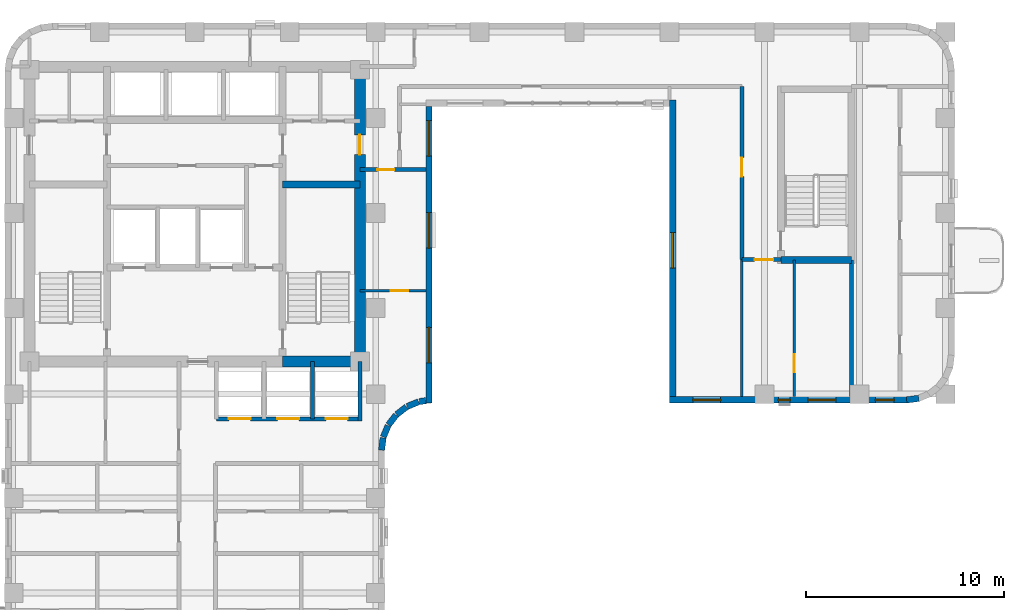
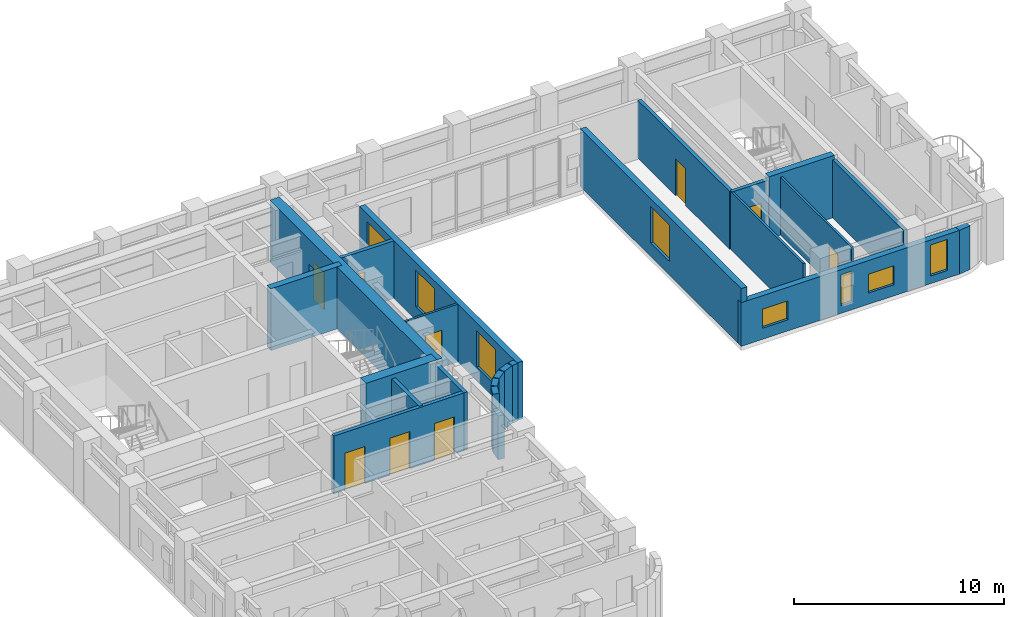
# One storey, part 6 of 11: 24 walls, 9 doors, 8 windows, 17 openings.
"""IFC4 building model written with IfcOpenShell, lengths in metres."""

from ifc_helpers import new_model, si_unit, direction, frame, frame_2d, origin, place, context, subcontext, project, spatial, rectangle, extrude, material, layer, layer_set, type_object, element, fill, save


model = new_model("IFC4")

# Units and contexts
model_context = context("Model", 3, precision=1e-05, world=origin(), true_north=direction((0.0, 1.0)))
body_context = subcontext(model_context, "Body", "Model", "MODEL_VIEW")
ifc_project = project(units=[si_unit("LENGTHUNIT", "METRE"), si_unit("AREAUNIT", "SQUARE_METRE"), si_unit("VOLUMEUNIT", "CUBIC_METRE"), si_unit("PLANEANGLEUNIT", "RADIAN"), si_unit("MASSUNIT", "GRAM", prefix="KILO")], contexts=[model_context])

# Site, building, storey
site_placement = place(None, origin())
site = spatial("IfcSite", under=ifc_project, at=site_placement, CompositionType="ELEMENT")
building_placement = place(site_placement, origin())
building = spatial("IfcBuilding", under=site, at=building_placement, Name="Orvandelia Arch Residences", CompositionType="ELEMENT")
storey_placement = place(building_placement, frame((0.0, 0.0, 164.800048828125)))
storey = spatial("IfcBuildingStorey", under=building, at=storey_placement, Name="L43", CompositionType="ELEMENT", Elevation=164.800048828125)

# Walls
ifc_material_1 = material(Name="Concrete C50/60", Category="concrete")
ifc_layer_1 = layer(ifc_material_1, 0.35009765625, Name="Concrete C50/60", Category="concrete")
ifc_layer_set_1 = layer_set([ifc_layer_1], Name="Concrete C50/60")
wall_type_1 = type_object("IfcWallType", Name="WL-CORE-350", PredefinedType="SHEAR", material=ifc_layer_set_1)
wall_1_placement = place(storey_placement, frame((18.840087890625, 39.85009765625, 0.0), z_axis=(0.0, 0.0, 1.0), x_axis=(1.0, 0.0, 0.0)))
element("IfcWall", 1, at=wall_1_placement, inside=storey, type_object=wall_type_1, Name="Core Shear Wall L43-HZ2", PredefinedType="SHEAR", context=body_context, shape_type="SweptSolid", body=[
    extrude(rectangle(XDim=3.909912109375, YDim=0.35009765625, at=frame_2d((1.955078125, 0.0))), origin(), (0.0, 0.0, 1.0), 3.599853515625),
])
wall_2_placement = place(storey_placement, frame((44.02001953125, 36.0400390625, 0.0), z_axis=(0.0, 0.0, 1.0), x_axis=(1.0, 0.0, 0.0)))
element("IfcWall", 2, at=wall_2_placement, inside=storey, type_object=wall_type_1, Name="East Stair Core Shear Wall L43-S", PredefinedType="SHEAR", context=body_context, shape_type="SweptSolid", body=[
    extrude(rectangle(XDim=3.580078125, YDim=0.35009765625, at=frame_2d((1.7900390625, 0.0))), origin(), (0.0, 0.0, 1.0), 3.599853515625),
])

# Wall, opening, door
ifc_material_2 = material(Name="Concrete C60/75", Category="concrete")
ifc_layer_2 = layer(ifc_material_2, 0.550048828125, Name="Concrete C60/75", Category="concrete")
ifc_layer_set_2 = layer_set([ifc_layer_2], Name="Concrete C60/75")
wall_type_2 = type_object("IfcWallType", Name="WL-CORE-550", PredefinedType="SHEAR", material=ifc_layer_set_2)
wall_3_placement = place(storey_placement, frame((22.75, 30.625, 0.0), z_axis=(0.0, 0.0, 1.0), x_axis=(0.0, 1.0, 0.0)))
wall_3 = element("IfcWall", 3, at=wall_3_placement, inside=storey, type_object=wall_type_2, Name="Core Shear Wall L43-E", PredefinedType="SHEAR", context=body_context, shape_type="SweptSolid", body=[
    extrude(rectangle(XDim=15.449951171875, YDim=0.550048828125, at=frame_2d((7.72509765625, 0.0))), origin(), (0.0, 0.0, 1.0), 3.599853515625),
])
opening_1_placement = place(wall_3_placement, frame((10.72509765625, 0.0, 0.0)))
opening_1 = element("IfcOpeningElement", 4, at=opening_1_placement, cuts=wall_3, Name="Opening D6", PredefinedType="OPENING", context=body_context, shape_type="SweptSolid", body=[
    extrude(rectangle(XDim=1.0, YDim=2.14990234375, at=frame_2d((0.5, 1.074951171875))), frame((0.0, 0.28515625, 0.0), z_axis=(0.0, -1.0, 0.0), x_axis=(1.0, 0.0, 0.0)), (0.0, 0.0, 1.0), 0.570068359375),
])
ifc_material_3 = material(Name="Smokeproof Painted Steel Fire Door", Category="steel")
door_type_1 = type_object("IfcDoorType", Name="DR-FD60-1000", OperationType="NOTDEFINED", PredefinedType="DOOR", material=ifc_material_3)
door_1_placement = place(opening_1_placement, origin())
door_1 = element("IfcDoor", 5, at=door_1_placement, inside=storey, type_object=door_type_1, Name="Core East Corridor Link Door L43", OperationType="SINGLE_SWING_LEFT", OverallHeight=2.14990234375, OverallWidth=1.0, PredefinedType="DOOR", context=body_context, shape_type="SweptSolid", body=[
    extrude(rectangle(XDim=1.0, YDim=2.14990234375, at=frame_2d((0.5, 1.074951171875))), frame((0.0, 0.02490234375, 0.0), z_axis=(0.0, -1.0, 0.0), x_axis=(1.0, 0.0, 0.0)), (0.0, 0.0, 1.0), 0.050048828125),
])
fill(opening_1, door_1)

# Wall
wall_4_placement = place(storey_placement, frame((18.840087890625, 30.89990234375, 0.0), z_axis=(0.0, 0.0, 1.0), x_axis=(1.0, 0.0, 0.0)))
element("IfcWall", 6, at=wall_4_placement, inside=storey, type_object=wall_type_2, Name="Core Shear Wall L43-SE", PredefinedType="SHEAR", context=body_context, shape_type="SweptSolid", body=[
    extrude(rectangle(XDim=3.909912109375, YDim=0.550048828125, at=frame_2d((1.955078125, 0.0))), origin(), (0.0, 0.0, 1.0), 3.599853515625),
])

# Wall, opening, door
ifc_material_4 = material(Name="Fire-Rated Corridor Partition")
ifc_layer_3 = layer(ifc_material_4, 0.199951171875, Name="Fire-Rated Corridor Partition")
ifc_layer_set_3 = layer_set([ifc_layer_3], Name="Fire-Rated Corridor Partition")
wall_type_3 = type_object("IfcWallType", Name="WL-CORR-200", PredefinedType="PARTITIONING", material=ifc_layer_set_3)
wall_5_placement = place(storey_placement, frame((22.75, 40.60009765625, 0.0), z_axis=(0.0, 0.0, 1.0), x_axis=(1.0, 0.0, 0.0)))
wall_5 = element("IfcWall", 7, at=wall_5_placement, inside=storey, type_object=wall_type_3, Name="Interior Partition Wall WL-L43-ENP-LS", PredefinedType="PARTITIONING", context=body_context, shape_type="SweptSolid", body=[
    extrude(rectangle(XDim=3.330078125, YDim=0.199951171875, at=frame_2d((1.6650390625, 0.0))), origin(), (0.0, 0.0, 1.0), 3.35986328125),
])
opening_2_placement = place(wall_5_placement, frame((0.8798828125, 0.0, 0.0)))
opening_2 = element("IfcOpeningElement", 8, at=opening_2_placement, cuts=wall_5, Name="Opening D4", PredefinedType="OPENING", context=body_context, shape_type="SweptSolid", body=[
    extrude(rectangle(XDim=0.860107421875, YDim=2.10009765625, at=frame_2d((0.43017578125, 1.050048828125))), frame((0.0, 0.10986328125, 0.0), z_axis=(0.0, -1.0, 0.0), x_axis=(1.0, 0.0, 0.0)), (0.0, 0.0, 1.0), 0.219970703125),
])
ifc_material_5 = material(Name="Moisture-Sealed Timber Bathroom Door", Category="wood")
door_type_2 = type_object("IfcDoorType", Name="DR-WET-900", OperationType="NOTDEFINED", PredefinedType="DOOR", material=ifc_material_5)
door_2_placement = place(opening_2_placement, origin())
door_2 = element("IfcDoor", 9, at=door_2_placement, inside=storey, type_object=door_type_2, Name="DR-L43-VPWL2", OperationType="SINGLE_SWING_RIGHT", OverallHeight=2.10009765625, OverallWidth=0.860107421875, PredefinedType="DOOR", context=body_context, shape_type="SweptSolid", body=[
    extrude(rectangle(XDim=0.860107421875, YDim=2.10009765625, at=frame_2d((0.43017578125, 1.050048828125))), frame((0.0, 0.02490234375, 0.0), z_axis=(0.0, -1.0, 0.0), x_axis=(1.0, 0.0, 0.0)), (0.0, 0.0, 1.0), 0.050048828125),
])
fill(opening_2, door_2)

wall_6_placement = place(storey_placement, frame((42.050048828125, 36.050048828125, 0.0), z_axis=(0.0, 0.0, 1.0), x_axis=(0.0, 1.0, 0.0)))
wall_6 = element("IfcWall", 10, at=wall_6_placement, inside=storey, type_object=wall_type_3, Name="Interior Partition Wall WL-L43-ENP-SW", PredefinedType="PARTITIONING", context=body_context, shape_type="SweptSolid", body=[
    extrude(rectangle(XDim=8.75, YDim=0.199951171875, at=frame_2d((4.375, 0.0))), origin(), (0.0, 0.0, 1.0), 3.35986328125),
])
opening_3_placement = place(wall_6_placement, frame((4.199951171875, 0.0, 0.0)))
opening_3 = element("IfcOpeningElement", 11, at=opening_3_placement, cuts=wall_6, Name="Opening D2", PredefinedType="OPENING", context=body_context, shape_type="SweptSolid", body=[
    extrude(rectangle(XDim=0.949951171875, YDim=2.14990234375, at=frame_2d((0.47509765625, 1.074951171875))), frame((0.0, 0.10986328125, 0.0), z_axis=(0.0, -1.0, 0.0), x_axis=(1.0, 0.0, 0.0)), (0.0, 0.0, 1.0), 0.219970703125),
])
ifc_material_6 = material(Name="Solid-Core Timber Interior Fire Door", Category="wood")
door_type_3 = type_object("IfcDoorType", Name="DR-APT-950", OperationType="NOTDEFINED", PredefinedType="DOOR", material=ifc_material_6)
door_3_placement = place(opening_3_placement, origin())
door_3 = element("IfcDoor", 12, at=door_3_placement, inside=storey, type_object=door_type_3, Name="DR-L43-VPE1", OperationType="SINGLE_SWING_LEFT", OverallHeight=2.14990234375, OverallWidth=0.949951171875, PredefinedType="DOOR", context=body_context, shape_type="SweptSolid", body=[
    extrude(rectangle(XDim=0.949951171875, YDim=2.14990234375, at=frame_2d((0.47509765625, 1.074951171875))), frame((0.0, 0.02490234375, 0.0), z_axis=(0.0, -1.0, 0.0), x_axis=(1.0, 0.0, 0.0)), (0.0, 0.0, 1.0), 0.050048828125),
])
fill(opening_3, door_3)

wall_7_placement = place(storey_placement, frame((42.050048828125, 36.050048828125, 0.0), z_axis=(0.0, 0.0, 1.0), x_axis=(1.0, 0.0, 0.0)))
wall_7 = element("IfcWall", 13, at=wall_7_placement, inside=storey, type_object=wall_type_3, Name="Interior Partition Wall WL-L43-ENP-SS", PredefinedType="PARTITIONING", context=body_context, shape_type="SweptSolid", body=[
    extrude(rectangle(XDim=1.969970703125, YDim=0.199951171875, at=frame_2d((0.98486328125, 0.0))), origin(), (0.0, 0.0, 1.0), 3.35986328125),
])
opening_4_placement = place(wall_7_placement, frame((0.64990234375, 0.0, 0.0)))
opening_4 = element("IfcOpeningElement", 14, at=opening_4_placement, cuts=wall_7, Name="Opening D2", PredefinedType="OPENING", context=body_context, shape_type="SweptSolid", body=[
    extrude(rectangle(XDim=0.949951171875, YDim=2.14990234375, at=frame_2d((0.47509765625, 1.074951171875))), frame((0.0, 0.10986328125, 0.0), z_axis=(0.0, -1.0, 0.0), x_axis=(1.0, 0.0, 0.0)), (0.0, 0.0, 1.0), 0.219970703125),
])
door_4_placement = place(opening_4_placement, origin())
door_4 = element("IfcDoor", 15, at=door_4_placement, inside=storey, type_object=door_type_3, Name="DR-L43-VPS3A", OperationType="SINGLE_SWING_LEFT", OverallHeight=2.14990234375, OverallWidth=0.949951171875, PredefinedType="DOOR", context=body_context, shape_type="SweptSolid", body=[
    extrude(rectangle(XDim=0.949951171875, YDim=2.14990234375, at=frame_2d((0.47509765625, 1.074951171875))), frame((0.0, 0.02490234375, 0.0), z_axis=(0.0, -1.0, 0.0), x_axis=(1.0, 0.0, 0.0)), (0.0, 0.0, 1.0), 0.050048828125),
])
fill(opening_4, door_4)

# Walls
ifc_material_7 = material(Name="Concrete C40/50", Category="concrete")
ifc_layer_4 = layer(ifc_material_7, 0.199951171875, Name="Concrete C40/50", Category="concrete")
ifc_layer_set_4 = layer_set([ifc_layer_4], Name="Concrete C40/50")
wall_type_4 = type_object("IfcWallType", Name="WL-DEM-200", PredefinedType="SOLIDWALL", material=ifc_layer_set_4)
wall_8_placement = place(storey_placement, frame((47.60009765625, 29.1201171875, 0.0), z_axis=(0.0, 0.0, 1.0), x_axis=(0.0, 1.0, 0.0)))
element("IfcWall", 16, at=wall_8_placement, inside=storey, type_object=wall_type_4, Name="Interior Partition Wall WL-L43-VPS3-E", PredefinedType="SOLIDWALL", context=body_context, shape_type="SweptSolid", body=[
    extrude(rectangle(XDim=6.919921875, YDim=0.199951171875, at=frame_2d((3.4599609375, 0.0))), origin(), (0.0, 0.0, 1.0), 3.35986328125),
])
ifc_material_8 = material(Name="Precast concrete C40/50", Category="concrete")
ifc_layer_5 = layer(ifc_material_8, 0.320068359375, Name="Precast concrete C40/50", Category="concrete")
ifc_layer_set_5 = layer_set([ifc_layer_5], Name="Precast concrete C40/50")
wall_type_5 = type_object("IfcWallType", Name="WL-EXT-STONE-320", PredefinedType="STANDARD", material=ifc_layer_set_5)
wall_9_placement = place(storey_placement, frame((51.000244140625, 29.040283203125, 0.0), z_axis=(0.0, 0.0, 1.0), x_axis=(-0.9914410257, -0.130555323746, 0.0)))
element("IfcWall", 17, at=wall_9_placement, inside=storey, type_object=wall_type_5, Name="Coral-Limestone Precast Facade Wall L43-020", PredefinedType="STANDARD", context=body_context, shape_type="SweptSolid", body=[
    extrude(rectangle(XDim=0.62646484375, YDim=0.320068359375, at=frame_2d((0.313232421875, 0.0))), origin(), (0.0, 0.0, 1.0), 2.5400390625),
])

# Wall, openings, windows
wall_10_placement = place(storey_placement, frame((50.39990234375, 28.9599609375, 0.0), z_axis=(0.0, 0.0, 1.0), x_axis=(-1.0, 0.0, 0.0)))
wall_10 = element("IfcWall", 18, at=wall_10_placement, inside=storey, type_object=wall_type_5, Name="Coral-Limestone Precast Facade Wall L43-021", PredefinedType="STANDARD", context=body_context, shape_type="SweptSolid", body=[
    extrude(rectangle(XDim=12.0, YDim=0.320068359375, at=frame_2d((6.0, 0.0))), origin(), (0.0, 0.0, 1.0), 2.5400390625),
])
opening_5_placement = place(wall_10_placement, frame((0.656005859375, 0.0, 0.449951171875)))
opening_5 = element("IfcOpeningElement", 19, at=opening_5_placement, cuts=wall_10, Name="Opening W4", PredefinedType="OPENING", context=body_context, shape_type="SweptSolid", body=[
    extrude(rectangle(XDim=0.949951171875, YDim=1.800048828125, at=frame_2d((0.47509765625, 0.89990234375))), frame((0.0, 0.169921875, 0.0), z_axis=(0.0, -1.0, 0.0), x_axis=(1.0, 0.0, 0.0)), (0.0, 0.0, 1.0), 0.340087890625),
])
opening_6_placement = place(wall_10_placement, frame((9.425048828125, 0.0, 0.64990234375)))
opening_6 = element("IfcOpeningElement", 20, at=opening_6_placement, cuts=wall_10, Name="Opening W10", PredefinedType="OPENING", context=body_context, shape_type="SweptSolid", body=[
    extrude(rectangle(XDim=1.39990234375, YDim=1.10009765625, at=frame_2d((0.699951171875, 0.550048828125))), frame((0.0, 0.169921875, 0.0), z_axis=(0.0, -1.0, 0.0), x_axis=(1.0, 0.0, 0.0)), (0.0, 0.0, 1.0), 0.340087890625),
])
opening_7_placement = place(wall_10_placement, frame((5.902587890625, 0.0, 0.449951171875)))
opening_7 = element("IfcOpeningElement", 21, at=opening_7_placement, cuts=wall_10, Name="Opening W12", PredefinedType="OPENING", context=body_context, shape_type="SweptSolid", body=[
    extrude(rectangle(XDim=0.60009765625, YDim=1.800048828125, at=frame_2d((0.300048828125, 0.89990234375))), frame((0.0, 0.169921875, 0.0), z_axis=(0.0, -1.0, 0.0), x_axis=(1.0, 0.0, 0.0)), (0.0, 0.0, 1.0), 0.340087890625),
])
opening_8_placement = place(wall_10_placement, frame((3.597412109375, 0.0, 0.64990234375)))
opening_8 = element("IfcOpeningElement", 22, at=opening_8_placement, cuts=wall_10, Name="Opening W10", PredefinedType="OPENING", context=body_context, shape_type="SweptSolid", body=[
    extrude(rectangle(XDim=1.39990234375, YDim=1.10009765625, at=frame_2d((0.699951171875, 0.550048828125))), frame((0.0, 0.169921875, 0.0), z_axis=(0.0, -1.0, 0.0), x_axis=(1.0, 0.0, 0.0)), (0.0, 0.0, 1.0), 0.340087890625),
])
ifc_material_9 = material(Name="Tempered Low-E Insulated Glazing", Category="glass")
window_type_1 = type_object("IfcWindowType", Name="WIN-CLR-1400x1100", PartitioningType="SINGLE_PANEL", PredefinedType="WINDOW", material=ifc_material_9)
window_1_placement = place(opening_6_placement, origin())
window_1 = element("IfcWindow", 23, at=window_1_placement, inside=storey, type_object=window_type_1, Name="Recessed Punched Window L43-008", OverallHeight=1.10009765625, OverallWidth=1.39990234375, PartitioningType="SINGLE_PANEL", PredefinedType="WINDOW", context=body_context, shape_type="SweptSolid", body=[
    extrude(rectangle(XDim=1.39990234375, YDim=1.10009765625, at=frame_2d((0.699951171875, 0.550048828125))), frame((0.0, 0.030029296875, 0.0), z_axis=(0.0, -1.0, 0.0), x_axis=(1.0, 0.0, 0.0)), (0.0, 0.0, 1.0), 0.06005859375),
])
fill(opening_6, window_1)
window_2_placement = place(opening_8_placement, origin())
window_2 = element("IfcWindow", 24, at=window_2_placement, inside=storey, type_object=window_type_1, Name="Recessed Punched Window L43-010", OverallHeight=1.10009765625, OverallWidth=1.39990234375, PartitioningType="SINGLE_PANEL", PredefinedType="WINDOW", context=body_context, shape_type="SweptSolid", body=[
    extrude(rectangle(XDim=1.39990234375, YDim=1.10009765625, at=frame_2d((0.699951171875, 0.550048828125))), frame((0.0, 0.030029296875, 0.0), z_axis=(0.0, -1.0, 0.0), x_axis=(1.0, 0.0, 0.0)), (0.0, 0.0, 1.0), 0.06005859375),
])
fill(opening_8, window_2)
window_type_2 = type_object("IfcWindowType", Name="WIN-LAN-0600x1800", PartitioningType="SINGLE_PANEL", PredefinedType="WINDOW", material=ifc_material_9)
window_3_placement = place(opening_7_placement, origin())
window_3 = element("IfcWindow", 25, at=window_3_placement, inside=storey, type_object=window_type_2, Name="Recessed Punched Window L43-009", OverallHeight=1.800048828125, OverallWidth=0.60009765625, PartitioningType="SINGLE_PANEL", PredefinedType="WINDOW", context=body_context, shape_type="SweptSolid", body=[
    extrude(rectangle(XDim=0.60009765625, YDim=1.800048828125, at=frame_2d((0.300048828125, 0.89990234375))), frame((0.0, 0.030029296875, 0.0), z_axis=(0.0, -1.0, 0.0), x_axis=(1.0, 0.0, 0.0)), (0.0, 0.0, 1.0), 0.06005859375),
])
fill(opening_7, window_3)
window_type_3 = type_object("IfcWindowType", Name="WIN-RES-0950x1800", PartitioningType="SINGLE_PANEL", PredefinedType="WINDOW", material=ifc_material_9)
window_4_placement = place(opening_5_placement, origin())
window_4 = element("IfcWindow", 26, at=window_4_placement, inside=storey, type_object=window_type_3, Name="Recessed Punched Window L43-007", OverallHeight=1.800048828125, OverallWidth=0.949951171875, PartitioningType="SINGLE_PANEL", PredefinedType="WINDOW", context=body_context, shape_type="SweptSolid", body=[
    extrude(rectangle(XDim=0.949951171875, YDim=1.800048828125, at=frame_2d((0.47509765625, 0.89990234375))), frame((0.0, 0.030029296875, 0.0), z_axis=(0.0, -1.0, 0.0), x_axis=(1.0, 0.0, 0.0)), (0.0, 0.0, 1.0), 0.06005859375),
])
fill(opening_5, window_4)

# Wall, opening, window
wall_11_placement = place(storey_placement, frame((38.56005859375, 28.800048828125, 0.0), z_axis=(0.0, 0.0, 1.0), x_axis=(0.0, 1.0, 0.0)))
wall_11 = element("IfcWall", 27, at=wall_11_placement, inside=storey, type_object=wall_type_5, Name="Coral-Limestone Precast Facade Wall L43-022", PredefinedType="STANDARD", context=body_context, shape_type="SweptSolid", body=[
    extrude(rectangle(XDim=15.320068359375, YDim=0.320068359375, at=frame_2d((7.66015625, 0.0))), origin(), (0.0, 0.0, 1.0), 3.35986328125),
])
opening_9_placement = place(wall_11_placement, frame((6.820068359375, 0.0, 0.800048828125)))
opening_9 = element("IfcOpeningElement", 28, at=opening_9_placement, cuts=wall_11, Name="Opening W1", PredefinedType="OPENING", context=body_context, shape_type="SweptSolid", body=[
    extrude(rectangle(XDim=1.800048828125, YDim=2.10009765625, at=frame_2d((0.89990234375, 1.050048828125))), frame((0.0, 0.169921875, 0.0), z_axis=(0.0, -1.0, 0.0), x_axis=(1.0, 0.0, 0.0)), (0.0, 0.0, 1.0), 0.340087890625),
])
window_type_4 = type_object("IfcWindowType", Name="WIN-RES-1800x2100", PartitioningType="SINGLE_PANEL", PredefinedType="WINDOW", material=ifc_material_9)
window_5_placement = place(opening_9_placement, origin())
window_5 = element("IfcWindow", 29, at=window_5_placement, inside=storey, type_object=window_type_4, Name="Recessed Punched Window L43-011", OverallHeight=2.10009765625, OverallWidth=1.800048828125, PartitioningType="SINGLE_PANEL", PredefinedType="WINDOW", context=body_context, shape_type="SweptSolid", body=[
    extrude(rectangle(XDim=1.800048828125, YDim=2.10009765625, at=frame_2d((0.89990234375, 1.050048828125))), frame((0.0, 0.030029296875, 0.0), z_axis=(0.0, -1.0, 0.0), x_axis=(1.0, 0.0, 0.0)), (0.0, 0.0, 1.0), 0.06005859375),
])
fill(opening_9, window_5)

# Wall, openings, windows
wall_12_placement = place(storey_placement, frame((26.239990234375, 43.800048828125, 0.0), z_axis=(0.0, 0.0, 1.0), x_axis=(0.0, -1.0, 0.0)))
wall_12 = element("IfcWall", 30, at=wall_12_placement, inside=storey, type_object=wall_type_5, Name="Coral-Limestone Precast Facade Wall L43-025", PredefinedType="STANDARD", context=body_context, shape_type="SweptSolid", body=[
    extrude(rectangle(XDim=15.0, YDim=0.320068359375, at=frame_2d((7.5, 0.0))), origin(), (0.0, 0.0, 1.0), 3.35986328125),
])
opening_10_placement = place(wall_12_placement, frame((11.169921875, 0.0, 0.800048828125)))
opening_10 = element("IfcOpeningElement", 31, at=opening_10_placement, cuts=wall_12, Name="Opening W1", PredefinedType="OPENING", context=body_context, shape_type="SweptSolid", body=[
    extrude(rectangle(XDim=1.800048828125, YDim=2.10009765625, at=frame_2d((0.89990234375, 1.050048828125))), frame((0.0, 0.169921875, 0.0), z_axis=(0.0, -1.0, 0.0), x_axis=(1.0, 0.0, 0.0)), (0.0, 0.0, 1.0), 0.340087890625),
])
opening_11_placement = place(wall_12_placement, frame((5.3701171875, 0.0, 0.800048828125)))
opening_11 = element("IfcOpeningElement", 32, at=opening_11_placement, cuts=wall_12, Name="Opening W1", PredefinedType="OPENING", context=body_context, shape_type="SweptSolid", body=[
    extrude(rectangle(XDim=1.800048828125, YDim=2.10009765625, at=frame_2d((0.89990234375, 1.050048828125))), frame((0.0, 0.169921875, 0.0), z_axis=(0.0, -1.0, 0.0), x_axis=(1.0, 0.0, 0.0)), (0.0, 0.0, 1.0), 0.340087890625),
])
opening_12_placement = place(wall_12_placement, frame((0.719970703125, 0.0, 0.800048828125)))
opening_12 = element("IfcOpeningElement", 33, at=opening_12_placement, cuts=wall_12, Name="Opening W1", PredefinedType="OPENING", context=body_context, shape_type="SweptSolid", body=[
    extrude(rectangle(XDim=1.800048828125, YDim=2.10009765625, at=frame_2d((0.89990234375, 1.050048828125))), frame((0.0, 0.169921875, 0.0), z_axis=(0.0, -1.0, 0.0), x_axis=(1.0, 0.0, 0.0)), (0.0, 0.0, 1.0), 0.340087890625),
])
window_6_placement = place(opening_10_placement, origin())
window_6 = element("IfcWindow", 34, at=window_6_placement, inside=storey, type_object=window_type_4, Name="Recessed Punched Window L43-014", OverallHeight=2.10009765625, OverallWidth=1.800048828125, PartitioningType="SINGLE_PANEL", PredefinedType="WINDOW", context=body_context, shape_type="SweptSolid", body=[
    extrude(rectangle(XDim=1.800048828125, YDim=2.10009765625, at=frame_2d((0.89990234375, 1.050048828125))), frame((0.0, 0.030029296875, 0.0), z_axis=(0.0, -1.0, 0.0), x_axis=(1.0, 0.0, 0.0)), (0.0, 0.0, 1.0), 0.06005859375),
])
fill(opening_10, window_6)
window_7_placement = place(opening_11_placement, origin())
window_7 = element("IfcWindow", 35, at=window_7_placement, inside=storey, type_object=window_type_4, Name="Recessed Punched Window L43-015", OverallHeight=2.10009765625, OverallWidth=1.800048828125, PartitioningType="SINGLE_PANEL", PredefinedType="WINDOW", context=body_context, shape_type="SweptSolid", body=[
    extrude(rectangle(XDim=1.800048828125, YDim=2.10009765625, at=frame_2d((0.89990234375, 1.050048828125))), frame((0.0, 0.030029296875, 0.0), z_axis=(0.0, -1.0, 0.0), x_axis=(1.0, 0.0, 0.0)), (0.0, 0.0, 1.0), 0.06005859375),
])
fill(opening_11, window_7)
window_8_placement = place(opening_12_placement, origin())
window_8 = element("IfcWindow", 36, at=window_8_placement, inside=storey, type_object=window_type_4, Name="Recessed Punched Window L43-016", OverallHeight=2.10009765625, OverallWidth=1.800048828125, PartitioningType="SINGLE_PANEL", PredefinedType="WINDOW", context=body_context, shape_type="SweptSolid", body=[
    extrude(rectangle(XDim=1.800048828125, YDim=2.10009765625, at=frame_2d((0.89990234375, 1.050048828125))), frame((0.0, 0.030029296875, 0.0), z_axis=(0.0, -1.0, 0.0), x_axis=(1.0, 0.0, 0.0)), (0.0, 0.0, 1.0), 0.06005859375),
])
fill(opening_12, window_8)

# Walls
wall_13_placement = place(storey_placement, frame((26.081787109375, 28.91943359375, 0.0), z_axis=(0.0, 0.0, 1.0), x_axis=(-0.991512688813, -0.130009953168, 0.0)))
element("IfcWall", 37, at=wall_13_placement, inside=storey, type_object=wall_type_5, Name="Coral-Limestone Precast Facade Wall L43-026", PredefinedType="STANDARD", context=body_context, shape_type="SweptSolid", body=[
    extrude(rectangle(XDim=0.32666015625, YDim=0.320068359375, at=frame_2d((0.163330078125, 0.0))), origin(), (0.0, 0.0, 1.0), 3.35986328125),
])
wall_14_placement = place(storey_placement, frame((25.717529296875, 28.865966796875, 0.0), z_axis=(0.0, 0.0, 1.0), x_axis=(-0.923836271867, -0.382787856107, 0.0)))
element("IfcWall", 38, at=wall_14_placement, inside=storey, type_object=wall_type_5, Name="Coral-Limestone Precast Facade Wall L43-027", PredefinedType="STANDARD", context=body_context, shape_type="SweptSolid", body=[
    extrude(rectangle(XDim=0.626220703125, YDim=0.320068359375, at=frame_2d((0.31298828125, 0.0))), origin(), (0.0, 0.0, 1.0), 3.35986328125),
])
for number, where, z_axis, x_axis, name in (
    (39, (25.1025390625, 28.60546875, 0.0), (0.0, 0.0, 1.0), (-0.793405610854, -0.608693302629, 0.0), "Coral-Limestone Precast Facade Wall L43-028"),
    (40, (24.575927734375, 28.194580078125, 0.0), (0.0, 0.0, 1.0), (-0.608693302629, -0.793405610854, 0.0), "Coral-Limestone Precast Facade Wall L43-029"),
):
    element("IfcWall", number, at=place(storey_placement, frame(where, z_axis=z_axis, x_axis=x_axis)), inside=storey, type_object=wall_type_5, Name=name, PredefinedType="STANDARD", context=body_context, shape_type="SweptSolid", body=[
        extrude(rectangle(XDim=0.62646484375, YDim=0.320068359375, at=frame_2d((0.313232421875, 0.0))), origin(), (0.0, 0.0, 1.0), 3.35986328125),
    ])
wall_15_placement = place(storey_placement, frame((24.173583984375, 27.6611328125, 0.0), z_axis=(0.0, 0.0, 1.0), x_axis=(-0.382455093999, -0.923974080304, 0.0)))
element("IfcWall", 41, at=wall_15_placement, inside=storey, type_object=wall_type_5, Name="Coral-Limestone Precast Facade Wall L43-030", PredefinedType="STANDARD", context=body_context, shape_type="SweptSolid", body=[
    extrude(rectangle(XDim=0.626220703125, YDim=0.320068359375, at=frame_2d((0.31298828125, 0.0))), origin(), (0.0, 0.0, 1.0), 3.35986328125),
])
wall_16_placement = place(storey_placement, frame((23.923095703125, 27.0419921875, 0.0), z_axis=(0.0, 0.0, 1.0), x_axis=(-0.130555323746, -0.9914410257, 0.0)))
element("IfcWall", 42, at=wall_16_placement, inside=storey, type_object=wall_type_5, Name="Coral-Limestone Precast Facade Wall L43-031", PredefinedType="STANDARD", context=body_context, shape_type="SweptSolid", body=[
    extrude(rectangle(XDim=0.62646484375, YDim=0.320068359375, at=frame_2d((0.313232421875, 0.0))), origin(), (0.0, 0.0, 1.0), 2.5400390625),
])

# Wall, opening, door
ifc_material_10 = material(Name="Lightweight Gypsum Stud Partition")
ifc_layer_6 = layer(ifc_material_10, 0.1201171875, Name="Lightweight Gypsum Stud Partition")
ifc_layer_set_6 = layer_set([ifc_layer_6], Name="Lightweight Gypsum Stud Partition")
wall_type_6 = type_object("IfcWallType", Name="WL-PART-120", PredefinedType="PARTITIONING", material=ifc_layer_set_6)
wall_17_placement = place(storey_placement, frame((22.75, 34.47998046875, 0.0), z_axis=(0.0, 0.0, 1.0), x_axis=(1.0, 0.0, 0.0)))
wall_17 = element("IfcWall", 43, at=wall_17_placement, inside=storey, type_object=wall_type_6, Name="Interior Partition Wall WL-L43-VPW-M", PredefinedType="PARTITIONING", context=body_context, shape_type="SweptSolid", body=[
    extrude(rectangle(XDim=3.330078125, YDim=0.1201171875, at=frame_2d((1.6650390625, 0.0))), origin(), (0.0, 0.0, 1.0), 3.35986328125),
])
opening_13_placement = place(wall_17_placement, frame((1.550048828125, 0.0, 0.0)))
opening_13 = element("IfcOpeningElement", 44, at=opening_13_placement, cuts=wall_17, Name="Opening D3", PredefinedType="OPENING", context=body_context, shape_type="SweptSolid", body=[
    extrude(rectangle(XDim=0.89990234375, YDim=2.14990234375, at=frame_2d((0.449951171875, 1.074951171875))), frame((0.0, 0.070068359375, 0.0), z_axis=(0.0, -1.0, 0.0), x_axis=(1.0, 0.0, 0.0)), (0.0, 0.0, 1.0), 0.14013671875),
])
ifc_material_11 = material(Name="Engineered Timber Flush Door", Category="wood")
door_type_4 = type_object("IfcDoorType", Name="DR-INT-900", OperationType="NOTDEFINED", PredefinedType="DOOR", material=ifc_material_11)
door_5_placement = place(opening_13_placement, origin())
door_5 = element("IfcDoor", 45, at=door_5_placement, inside=storey, type_object=door_type_4, Name="DR-L43-VPWL1", OperationType="SINGLE_SWING_LEFT", OverallHeight=2.14990234375, OverallWidth=0.89990234375, PredefinedType="DOOR", context=body_context, shape_type="SweptSolid", body=[
    extrude(rectangle(XDim=0.89990234375, YDim=2.14990234375, at=frame_2d((0.449951171875, 1.074951171875))), frame((0.0, 0.02490234375, 0.0), z_axis=(0.0, -1.0, 0.0), x_axis=(1.0, 0.0, 0.0)), (0.0, 0.0, 1.0), 0.050048828125),
])
fill(opening_13, door_5)

wall_18_placement = place(storey_placement, frame((44.699951171875, 29.1201171875, 0.0), z_axis=(0.0, 0.0, 1.0), x_axis=(0.0, 1.0, 0.0)))
wall_18 = element("IfcWall", 46, at=wall_18_placement, inside=storey, type_object=wall_type_6, Name="Interior Partition Wall WL-L43-VPS3-M", PredefinedType="PARTITIONING", context=body_context, shape_type="SweptSolid", body=[
    extrude(rectangle(XDim=6.919921875, YDim=0.1201171875, at=frame_2d((3.4599609375, 0.0))), origin(), (0.0, 0.0, 1.0), 3.35986328125),
])
opening_14_placement = place(wall_18_placement, frame((1.239990234375, 0.0, 0.0)))
opening_14 = element("IfcOpeningElement", 47, at=opening_14_placement, cuts=wall_18, Name="Opening D3", PredefinedType="OPENING", context=body_context, shape_type="SweptSolid", body=[
    extrude(rectangle(XDim=0.89990234375, YDim=2.14990234375, at=frame_2d((0.449951171875, 1.074951171875))), frame((0.0, 0.070068359375, 0.0), z_axis=(0.0, -1.0, 0.0), x_axis=(1.0, 0.0, 0.0)), (0.0, 0.0, 1.0), 0.14013671875),
])
door_6_placement = place(opening_14_placement, origin())
door_6 = element("IfcDoor", 48, at=door_6_placement, inside=storey, type_object=door_type_4, Name="DR-L43-VPS3B", OperationType="SINGLE_SWING_RIGHT", OverallHeight=2.14990234375, OverallWidth=0.89990234375, PredefinedType="DOOR", context=body_context, shape_type="SweptSolid", body=[
    extrude(rectangle(XDim=0.89990234375, YDim=2.14990234375, at=frame_2d((0.449951171875, 1.074951171875))), frame((0.0, 0.02490234375, 0.0), z_axis=(0.0, -1.0, 0.0), x_axis=(1.0, 0.0, 0.0)), (0.0, 0.0, 1.0), 0.050048828125),
])
fill(opening_14, door_6)

# Wall
wall_19_placement = place(storey_placement, frame((42.050048828125, 29.1201171875, 0.0), z_axis=(0.0, 0.0, 1.0), x_axis=(0.0, 1.0, 0.0)))
element("IfcWall", 49, at=wall_19_placement, inside=storey, type_object=wall_type_6, Name="Interior Partition Wall WL-L43-VPS3-W", PredefinedType="PARTITIONING", context=body_context, shape_type="SweptSolid", body=[
    extrude(rectangle(XDim=6.929931640625, YDim=0.1201171875, at=frame_2d((3.46484375, 0.0))), origin(), (0.0, 0.0, 1.0), 3.35986328125),
])

# Wall, openings, doors
ifc_material_12 = material(Name="Fire-Rated Shaft Enclosure Wall")
ifc_layer_7 = layer(ifc_material_12, 0.199951171875, Name="Fire-Rated Shaft Enclosure Wall")
ifc_layer_set_7 = layer_set([ifc_layer_7], Name="Fire-Rated Shaft Enclosure Wall")
wall_type_7 = type_object("IfcWallType", Name="WL-SHAFT-200", PredefinedType="POLYGONAL", material=ifc_layer_set_7)
wall_20_placement = place(storey_placement, frame((15.5, 28.0, 0.0), z_axis=(0.0, 0.0, 1.0), x_axis=(1.0, 0.0, 0.0)))
wall_20 = element("IfcWall", 50, at=wall_20_placement, inside=storey, type_object=wall_type_7, Name="Interior Partition Wall WL-L43-BNKM-S", PredefinedType="POLYGONAL", context=body_context, shape_type="SweptSolid", body=[
    extrude(rectangle(XDim=7.25, YDim=0.199951171875, at=frame_2d((3.625, 0.0))), origin(), (0.0, 0.0, 1.0), 3.35986328125),
])
opening_15_placement = place(wall_20_placement, frame((0.625, 0.0, 0.0)))
opening_15 = element("IfcOpeningElement", 51, at=opening_15_placement, cuts=wall_20, Name="Opening LD", PredefinedType="OPENING", context=body_context, shape_type="SweptSolid", body=[
    extrude(rectangle(XDim=1.10009765625, YDim=2.14990234375, at=frame_2d((0.550048828125, 1.074951171875))), frame((0.0, 0.10986328125, 0.0), z_axis=(0.0, -1.0, 0.0), x_axis=(1.0, 0.0, 0.0)), (0.0, 0.0, 1.0), 0.219970703125),
])
opening_16_placement = place(wall_20_placement, frame((3.074951171875, 0.0, 0.0)))
opening_16 = element("IfcOpeningElement", 52, at=opening_16_placement, cuts=wall_20, Name="Opening LD", PredefinedType="OPENING", context=body_context, shape_type="SweptSolid", body=[
    extrude(rectangle(XDim=1.10009765625, YDim=2.14990234375, at=frame_2d((0.550048828125, 1.074951171875))), frame((0.0, 0.10986328125, 0.0), z_axis=(0.0, -1.0, 0.0), x_axis=(1.0, 0.0, 0.0)), (0.0, 0.0, 1.0), 0.219970703125),
])
opening_17_placement = place(wall_20_placement, frame((5.52490234375, 0.0, 0.0)))
opening_17 = element("IfcOpeningElement", 53, at=opening_17_placement, cuts=wall_20, Name="Opening LD", PredefinedType="OPENING", context=body_context, shape_type="SweptSolid", body=[
    extrude(rectangle(XDim=1.10009765625, YDim=2.14990234375, at=frame_2d((0.550048828125, 1.074951171875))), frame((0.0, 0.10986328125, 0.0), z_axis=(0.0, -1.0, 0.0), x_axis=(1.0, 0.0, 0.0)), (0.0, 0.0, 1.0), 0.219970703125),
])
ifc_material_13 = material(Name="Brushed Stainless Steel Sliding Lift Door", Category="steel")
door_type_5 = type_object("IfcDoorType", Name="DR-LIFT-1100", OperationType="NOTDEFINED", PredefinedType="DOOR", material=ifc_material_13)
door_7_placement = place(opening_15_placement, origin())
door_7 = element("IfcDoor", 54, at=door_7_placement, inside=storey, type_object=door_type_5, Name="Lift Landing Door LD-PM1", OperationType="SLIDING_TO_LEFT", OverallHeight=2.14990234375, OverallWidth=1.10009765625, PredefinedType="DOOR", context=body_context, shape_type="SweptSolid", body=[
    extrude(rectangle(XDim=1.10009765625, YDim=2.14990234375, at=frame_2d((0.550048828125, 1.074951171875))), frame((0.0, 0.02490234375, 0.0), z_axis=(0.0, -1.0, 0.0), x_axis=(1.0, 0.0, 0.0)), (0.0, 0.0, 1.0), 0.050048828125),
])
fill(opening_15, door_7)
door_8_placement = place(opening_16_placement, origin())
door_8 = element("IfcDoor", 55, at=door_8_placement, inside=storey, type_object=door_type_5, Name="Lift Landing Door LD-PM2", OperationType="SLIDING_TO_RIGHT", OverallHeight=2.14990234375, OverallWidth=1.10009765625, PredefinedType="DOOR", context=body_context, shape_type="SweptSolid", body=[
    extrude(rectangle(XDim=1.10009765625, YDim=2.14990234375, at=frame_2d((0.550048828125, 1.074951171875))), frame((0.0, 0.02490234375, 0.0), z_axis=(0.0, -1.0, 0.0), x_axis=(1.0, 0.0, 0.0)), (0.0, 0.0, 1.0), 0.050048828125),
])
fill(opening_16, door_8)
door_9_placement = place(opening_17_placement, origin())
door_9 = element("IfcDoor", 56, at=door_9_placement, inside=storey, type_object=door_type_5, Name="Lift Landing Door LD-PM3", OperationType="SLIDING_TO_LEFT", OverallHeight=2.14990234375, OverallWidth=1.10009765625, PredefinedType="DOOR", context=body_context, shape_type="SweptSolid", body=[
    extrude(rectangle(XDim=1.10009765625, YDim=2.14990234375, at=frame_2d((0.550048828125, 1.074951171875))), frame((0.0, 0.02490234375, 0.0), z_axis=(0.0, -1.0, 0.0), x_axis=(1.0, 0.0, 0.0)), (0.0, 0.0, 1.0), 0.050048828125),
])
fill(opening_17, door_9)

# Walls
wall_21_placement = place(storey_placement, frame((22.75, 27.89990234375, 0.0), z_axis=(0.0, 0.0, 1.0), x_axis=(0.0, 1.0, 0.0)))
element("IfcWall", 57, at=wall_21_placement, inside=storey, type_object=wall_type_7, Name="Interior Partition Wall WL-L43-BNKM-E", PredefinedType="POLYGONAL", context=body_context, shape_type="SweptSolid", body=[
    extrude(rectangle(XDim=3.0, YDim=0.199951171875, at=frame_2d((1.5, 0.0))), origin(), (0.0, 0.0, 1.0), 3.35986328125),
])
wall_22_placement = place(storey_placement, frame((20.35009765625, 28.0, 0.0), z_axis=(0.0, 0.0, 1.0), x_axis=(0.0, 1.0, 0.0)))
element("IfcWall", 58, at=wall_22_placement, inside=storey, type_object=wall_type_7, Name="Interior Partition Wall WL-L43-BNKMD-2035", PredefinedType="POLYGONAL", context=body_context, shape_type="SweptSolid", body=[
    extrude(rectangle(XDim=2.89990234375, YDim=0.199951171875, at=frame_2d((1.449951171875, 0.0))), origin(), (0.0, 0.0, 1.0), 3.35986328125),
])

save(model, "model.ifc")
